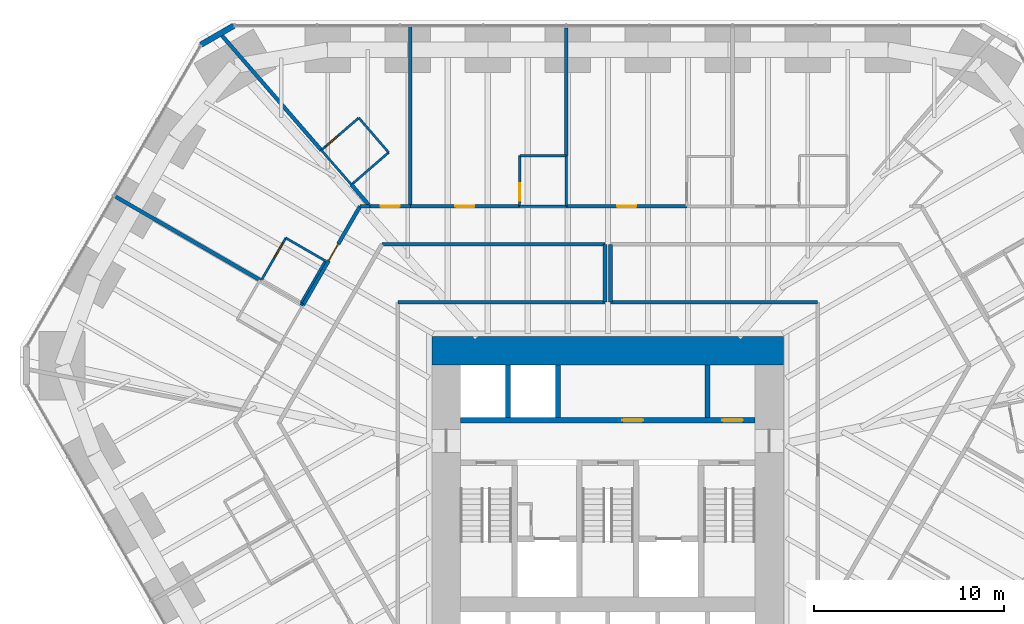
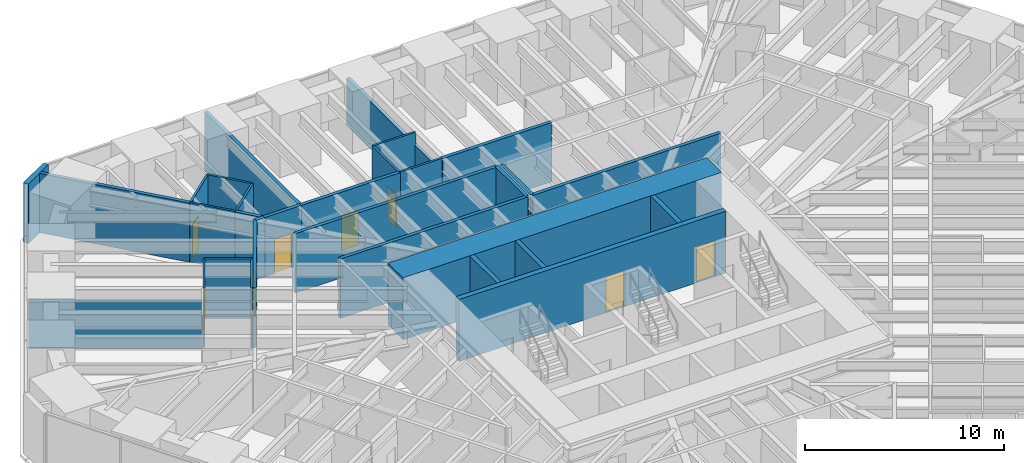
# One storey, part 14 of 17: 33 walls, 9 doors, 9 openings.
"""IFC4 building model written with IfcOpenShell, lengths in metres."""

from ifc_helpers import new_model, si_unit, direction, frame, frame_2d, origin, place, context, subcontext, project, spatial, rectangle, extrude, material, layer, layer_set, type_object, element, fill, save


model = new_model("IFC4")

# Units and contexts
model_context = context("Model", 3, precision=1e-05, world=origin(), true_north=direction((0.0, 1.0)))
body_context = subcontext(model_context, "Body", "Model", "MODEL_VIEW")
ifc_project = project(units=[si_unit("LENGTHUNIT", "METRE"), si_unit("AREAUNIT", "SQUARE_METRE"), si_unit("VOLUMEUNIT", "CUBIC_METRE"), si_unit("PLANEANGLEUNIT", "RADIAN"), si_unit("MASSUNIT", "GRAM", prefix="KILO")], contexts=[model_context])

# Site, building, storey
site_placement = place(None, origin())
site = spatial("IfcSite", under=ifc_project, at=site_placement, CompositionType="ELEMENT")
building_placement = place(site_placement, origin())
building = spatial("IfcBuilding", under=site, at=building_placement, Name="Sandreach Pilgrim Tower", CompositionType="ELEMENT")
storey_placement = place(building_placement, frame((0.0, 0.0, 38.199951171875)))
storey = spatial("IfcBuildingStorey", under=building, at=storey_placement, Name="L08", CompositionType="ELEMENT", Elevation=38.199951171875)

# Wall, opening, door
ifc_material_1 = material(Name="Moisture-resistant gypsum board on steel studs", Category="steel")
ifc_layer_1 = layer(ifc_material_1, 0.1201171875)
ifc_layer_set_1 = layer_set([ifc_layer_1], Name="Bathroom partition 120")
wall_type_1 = type_object("IfcWallType", Name="Bathroom partition 120", PredefinedType="PARTITIONING", material=ifc_layer_set_1)
wall_1_placement = place(storey_placement, frame((-16.93994140625, 12.780029296875, 0.0), z_axis=(0.0, 0.0, 1.0), x_axis=(-0.500291685314, -0.865856933682, 0.0)))
wall_1 = element("IfcWall", 1, at=wall_1_placement, inside=storey, type_object=wall_type_1, Name="Bathroom partition L08-019", PredefinedType="PARTITIONING", context=body_context, shape_type="SweptSolid", body=[
    extrude(rectangle(XDim=2.5986328125, YDim=0.1201171875, at=frame_2d((1.29931640625, 0.0))), origin(), (0.0, 0.0, 1.0), 3.64013671875),
])
opening_1_placement = place(wall_1_placement, frame((0.300048828125, 0.0, 0.0)))
opening_1 = element("IfcOpeningElement", 2, at=opening_1_placement, cuts=wall_1, Name="Opening D09-19B", PredefinedType="OPENING", context=body_context, shape_type="SweptSolid", body=[
    extrude(rectangle(XDim=0.89990234375, YDim=2.030029296875, at=frame_2d((0.449951171875, 1.01513671875))), frame((0.0, 0.06005859375, 0.0), z_axis=(0.0, -1.0, 0.0), x_axis=(1.0, 0.0, 0.0)), (0.0, 0.0, 1.0), 0.1201171875),
])
ifc_material_2 = material(Name="Timber door, steel frame", Category="steel")
door_type_1 = type_object("IfcDoorType", Name="Bathroom door", OperationType="SINGLE_SWING_LEFT", PredefinedType="DOOR", material=ifc_material_2)
door_1_placement = place(opening_1_placement, origin())
door_1 = element("IfcDoor", 3, at=door_1_placement, inside=storey, type_object=door_type_1, Name="Door 0819B", OperationType="SINGLE_SWING_LEFT", OverallHeight=2.030029296875, OverallWidth=0.89990234375, PredefinedType="DOOR", context=body_context, shape_type="SweptSolid", body=[
    extrude(rectangle(XDim=0.89990234375, YDim=2.030029296875, at=frame_2d((0.449951171875, 1.01513671875))), frame((0.0, 0.02490234375, 0.0), z_axis=(0.0, -1.0, 0.0), x_axis=(1.0, 0.0, 0.0)), (0.0, 0.0, 1.0), 0.050048828125),
])
fill(opening_1, door_1)

# Walls
wall_2_placement = place(storey_placement, frame((-16.159912109375, 9.330078125, 0.0), z_axis=(0.0, 0.0, 1.0), x_axis=(0.880098986228, -0.47479024257, 0.0)))
element("IfcWall", 4, at=wall_2_placement, inside=storey, type_object=wall_type_1, Name="Bathroom partition L08-023", PredefinedType="PARTITIONING", context=body_context, shape_type="SweptSolid", body=[
    extrude(rectangle(XDim=0.1474609375, YDim=0.1201171875, at=frame_2d((0.07373046875, 0.0))), origin(), (0.0, 0.0, 1.0), 3.64013671875),
])
wall_3_placement = place(storey_placement, frame((-16.159912109375, 9.330078125, 0.0), z_axis=(0.0, 0.0, 1.0), x_axis=(0.500291685314, 0.865856933682, 0.0)))
element("IfcWall", 5, at=wall_3_placement, inside=storey, type_object=wall_type_1, Name="Bathroom partition L08-024", PredefinedType="PARTITIONING", context=body_context, shape_type="SweptSolid", body=[
    extrude(rectangle(XDim=2.5986328125, YDim=0.1201171875, at=frame_2d((1.29931640625, 0.0))), origin(), (0.0, 0.0, 1.0), 3.64013671875),
])
wall_4_placement = place(storey_placement, frame((-15.070068359375, 17.39990234375, 0.0), z_axis=(0.0, 0.0, 1.0), x_axis=(0.657083550002, -0.753817755374, 0.0)))
element("IfcWall", 6, at=wall_4_placement, inside=storey, type_object=wall_type_1, Name="Bathroom partition L08-028", PredefinedType="PARTITIONING", context=body_context, shape_type="SweptSolid", body=[
    extrude(rectangle(XDim=2.41015625, YDim=0.1201171875, at=frame_2d((1.205078125, 0.0))), origin(), (0.0, 0.0, 1.0), 3.64013671875),
])
wall_5_placement = place(storey_placement, frame((-14.860107421875, 11.580078125, 0.0), z_axis=(0.0, 0.0, 1.0), x_axis=(-0.866177122335, 0.499737123639, 0.0)))
element("IfcWall", 7, at=wall_5_placement, inside=storey, type_object=wall_type_1, Name="Bathroom partition L08-029", PredefinedType="PARTITIONING", context=body_context, shape_type="SweptSolid", body=[
    extrude(rectangle(XDim=2.401123046875, YDim=0.1201171875, at=frame_2d((1.20068359375, 0.0))), origin(), (0.0, 0.0, 1.0), 3.64013671875),
])
wall_6_placement = place(storey_placement, frame((-13.489990234375, 15.580078125, 0.0), z_axis=(0.0, 0.0, 1.0), x_axis=(0.755437535555, 0.655220672655, 0.0)))
element("IfcWall", 8, at=wall_6_placement, inside=storey, type_object=wall_type_1, Name="Bathroom partition L08-030", PredefinedType="PARTITIONING", context=body_context, shape_type="SweptSolid", body=[
    extrude(rectangle(XDim=2.594482421875, YDim=0.1201171875, at=frame_2d((1.29736328125, 0.0))), origin(), (0.0, 0.0, 1.0), 3.64013671875),
])

# Wall, opening, door
wall_7_placement = place(storey_placement, frame((-13.10009765625, 19.10009765625, 0.0), z_axis=(0.0, 0.0, 1.0), x_axis=(-0.757040252764, -0.65336823897, 0.0)))
wall_7 = element("IfcWall", 9, at=wall_7_placement, inside=storey, type_object=wall_type_1, Name="Bathroom partition L08-032", PredefinedType="PARTITIONING", context=body_context, shape_type="SweptSolid", body=[
    extrude(rectangle(XDim=2.602294921875, YDim=0.1201171875, at=frame_2d((1.30126953125, 0.0))), origin(), (0.0, 0.0, 1.0), 3.64013671875),
])
opening_2_placement = place(wall_7_placement, frame((1.402099609375, 0.0, 0.0)))
opening_2 = element("IfcOpeningElement", 10, at=opening_2_placement, cuts=wall_7, Name="Opening D09-01B", PredefinedType="OPENING", context=body_context, shape_type="SweptSolid", body=[
    extrude(rectangle(XDim=0.89990234375, YDim=2.030029296875, at=frame_2d((0.449951171875, 1.01513671875))), frame((0.0, 0.06005859375, 0.0), z_axis=(0.0, -1.0, 0.0), x_axis=(1.0, 0.0, 0.0)), (0.0, 0.0, 1.0), 0.1201171875),
])
door_2_placement = place(opening_2_placement, origin())
door_2 = element("IfcDoor", 11, at=door_2_placement, inside=storey, type_object=door_type_1, Name="Door 0801B", OperationType="SINGLE_SWING_RIGHT", OverallHeight=2.030029296875, OverallWidth=0.89990234375, PredefinedType="DOOR", context=body_context, shape_type="SweptSolid", body=[
    extrude(rectangle(XDim=0.89990234375, YDim=2.030029296875, at=frame_2d((0.449951171875, 1.01513671875))), frame((0.0, 0.02490234375, 0.0), z_axis=(0.0, -1.0, 0.0), x_axis=(1.0, 0.0, 0.0)), (0.0, 0.0, 1.0), 0.050048828125),
])
fill(opening_2, door_2)

# Wall
wall_8_placement = place(storey_placement, frame((-11.530029296875, 17.280029296875, 0.0), z_axis=(0.0, 0.0, 1.0), x_axis=(-0.653188728136, 0.757195143563, 0.0)))
element("IfcWall", 12, at=wall_8_placement, inside=storey, type_object=wall_type_1, Name="Bathroom partition L08-036", PredefinedType="PARTITIONING", context=body_context, shape_type="SweptSolid", body=[
    extrude(rectangle(XDim=2.40380859375, YDim=0.1201171875, at=frame_2d((1.201904296875, 0.0))), origin(), (0.0, 0.0, 1.0), 3.64013671875),
])

# Wall, opening, door
wall_9_placement = place(storey_placement, frame((-4.6298828125, 17.110107421875, 0.0), z_axis=(0.0, 0.0, 1.0), x_axis=(-0.003762822113, -0.99999292056, 0.0)))
wall_9 = element("IfcWall", 13, at=wall_9_placement, inside=storey, type_object=wall_type_1, Name="Bathroom partition L08-051", PredefinedType="PARTITIONING", context=body_context, shape_type="SweptSolid", body=[
    extrude(rectangle(XDim=2.66015625, YDim=0.1201171875, at=frame_2d((1.330078125, 0.0))), origin(), (0.0, 0.0, 1.0), 3.64013671875),
])
opening_3_placement = place(wall_9_placement, frame((1.4599609375, 0.0, 0.0)))
opening_3 = element("IfcOpeningElement", 14, at=opening_3_placement, cuts=wall_9, Name="Opening D09-02B", PredefinedType="OPENING", context=body_context, shape_type="SweptSolid", body=[
    extrude(rectangle(XDim=0.89990234375, YDim=2.030029296875, at=frame_2d((0.449951171875, 1.01513671875))), frame((0.0, 0.06005859375, 0.0), z_axis=(0.0, -1.0, 0.0), x_axis=(1.0, 0.0, 0.0)), (0.0, 0.0, 1.0), 0.1201171875),
])
door_3_placement = place(opening_3_placement, origin())
door_3 = element("IfcDoor", 15, at=door_3_placement, inside=storey, type_object=door_type_1, Name="Door 0802B", OperationType="SINGLE_SWING_RIGHT", OverallHeight=2.030029296875, OverallWidth=0.89990234375, PredefinedType="DOOR", context=body_context, shape_type="SweptSolid", body=[
    extrude(rectangle(XDim=0.89990234375, YDim=2.030029296875, at=frame_2d((0.449951171875, 1.01513671875))), frame((0.0, 0.02490234375, 0.0), z_axis=(0.0, -1.0, 0.0), x_axis=(1.0, 0.0, 0.0)), (0.0, 0.0, 1.0), 0.050048828125),
])
fill(opening_3, door_3)

# Walls
wall_10_placement = place(storey_placement, frame((-2.18994140625, 14.449951171875, 0.0), z_axis=(0.0, 0.0, 1.0), x_axis=(-1.0, 0.0, 0.0)))
element("IfcWall", 16, at=wall_10_placement, inside=storey, type_object=wall_type_1, Name="Bathroom partition L08-057", PredefinedType="PARTITIONING", context=body_context, shape_type="SweptSolid", body=[
    extrude(rectangle(XDim=2.449951171875, YDim=0.1201171875, at=frame_2d((1.22509765625, 0.0))), origin(), (0.0, 0.0, 1.0), 3.64013671875),
])
wall_11_placement = place(storey_placement, frame((-2.18994140625, 17.10009765625, 0.0), z_axis=(0.0, 0.0, 1.0), x_axis=(-0.999991585011, 0.004102426955, 0.0)))
element("IfcWall", 17, at=wall_11_placement, inside=storey, type_object=wall_type_1, Name="Bathroom partition L08-058", PredefinedType="PARTITIONING", context=body_context, shape_type="SweptSolid", body=[
    extrude(rectangle(XDim=2.43994140625, YDim=0.1201171875, at=frame_2d((1.219970703125, 0.0))), origin(), (0.0, 0.0, 1.0), 3.64013671875),
])
wall_12_placement = place(storey_placement, frame((-2.18994140625, 17.10009765625, 0.0), z_axis=(0.0, 0.0, 1.0), x_axis=(0.0, -1.0, 0.0)))
element("IfcWall", 18, at=wall_12_placement, inside=storey, type_object=wall_type_1, Name="Bathroom partition L08-059", PredefinedType="PARTITIONING", context=body_context, shape_type="SweptSolid", body=[
    extrude(rectangle(XDim=2.650146484375, YDim=0.1201171875, at=frame_2d((1.3251953125, 0.0))), origin(), (0.0, 0.0, 1.0), 2.8779296875),
])

# Wall, openings, doors
ifc_material_3 = material(Name="Concrete 10000 psi", Category="concrete")
ifc_layer_2 = layer(ifc_material_3, 0.300048828125)
ifc_layer_set_2 = layer_set([ifc_layer_2], Name="Core inner wall 300")
wall_type_2 = type_object("IfcWallType", Name="Core inner wall 300", PredefinedType="SHEAR", material=ifc_layer_set_2)
wall_13_placement = place(storey_placement, frame((-7.75, 3.199951171875, 0.0), z_axis=(0.0, 0.0, 1.0), x_axis=(1.0, 0.0, 0.0)))
wall_13 = element("IfcWall", 19, at=wall_13_placement, inside=storey, type_object=wall_type_2, Name="Core wall PN L08", PredefinedType="SHEAR", context=body_context, shape_type="SweptSolid", body=[
    extrude(rectangle(XDim=15.5, YDim=0.300048828125, at=frame_2d((7.75, 0.0))), origin(), (0.0, 0.0, 1.0), 3.800048828125),
])
opening_4_placement = place(wall_13_placement, frame((8.512451171875, 0.0, 0.0)))
opening_4 = element("IfcOpeningElement", 20, at=opening_4_placement, cuts=wall_13, Name="Opening D11L", PredefinedType="OPENING", context=body_context, shape_type="SweptSolid", body=[
    extrude(rectangle(XDim=1.10009765625, YDim=2.199951171875, at=frame_2d((0.550048828125, 1.10009765625))), frame((0.0, 0.14990234375, 0.0), z_axis=(0.0, -1.0, 0.0), x_axis=(1.0, 0.0, 0.0)), (0.0, 0.0, 1.0), 0.300048828125),
])
opening_5_placement = place(wall_13_placement, frame((13.762451171875, 0.0, 0.0)))
opening_5 = element("IfcOpeningElement", 21, at=opening_5_placement, cuts=wall_13, Name="Opening D11L", PredefinedType="OPENING", context=body_context, shape_type="SweptSolid", body=[
    extrude(rectangle(XDim=1.10009765625, YDim=2.199951171875, at=frame_2d((0.550048828125, 1.10009765625))), frame((0.0, 0.14990234375, 0.0), z_axis=(0.0, -1.0, 0.0), x_axis=(1.0, 0.0, 0.0)), (0.0, 0.0, 1.0), 0.300048828125),
])
ifc_material_4 = material(Name="Steel door and frame, smoke seals", Category="steel")
door_type_2 = type_object("IfcDoorType", Name="Core room door", OperationType="SINGLE_SWING_LEFT", PredefinedType="DOOR", material=ifc_material_4)
door_4_placement = place(opening_4_placement, origin())
door_4 = element("IfcDoor", 22, at=door_4_placement, inside=storey, type_object=door_type_2, Name="Door housekeeping store 08K1", OperationType="SINGLE_SWING_RIGHT", OverallHeight=2.199951171875, OverallWidth=1.10009765625, PredefinedType="DOOR", context=body_context, shape_type="SweptSolid", body=[
    extrude(rectangle(XDim=1.10009765625, YDim=2.199951171875, at=frame_2d((0.550048828125, 1.10009765625))), frame((0.0, 0.02490234375, 0.0), z_axis=(0.0, -1.0, 0.0), x_axis=(1.0, 0.0, 0.0)), (0.0, 0.0, 1.0), 0.050048828125),
])
fill(opening_4, door_4)
door_5_placement = place(opening_5_placement, origin())
door_5 = element("IfcDoor", 23, at=door_5_placement, inside=storey, type_object=door_type_2, Name="Door it room 08K2", OperationType="SINGLE_SWING_RIGHT", OverallHeight=2.199951171875, OverallWidth=1.10009765625, PredefinedType="DOOR", context=body_context, shape_type="SweptSolid", body=[
    extrude(rectangle(XDim=1.10009765625, YDim=2.199951171875, at=frame_2d((0.550048828125, 1.10009765625))), frame((0.0, 0.02490234375, 0.0), z_axis=(0.0, -1.0, 0.0), x_axis=(1.0, 0.0, 0.0)), (0.0, 0.0, 1.0), 0.050048828125),
])
fill(opening_5, door_5)

# Wall
ifc_material_5 = material(Name="Concrete 10000 psi", Category="concrete")
ifc_layer_3 = layer(ifc_material_5, 1.5)
ifc_layer_set_3 = layer_set([ifc_layer_3], Name="Core wall 1500")
wall_type_3 = type_object("IfcWallType", Name="Core wall 1500", PredefinedType="SHEAR", material=ifc_layer_set_3)
wall_14_placement = place(storey_placement, frame((-9.25, 6.85009765625, 0.0), z_axis=(0.0, 0.0, 1.0), x_axis=(1.0, 0.0, 0.0)))
element("IfcWall", 24, at=wall_14_placement, inside=storey, type_object=wall_type_3, Name="Core wall N L08", PredefinedType="SHEAR", context=body_context, shape_type="SweptSolid", body=[
    extrude(rectangle(XDim=18.5, YDim=1.5, at=frame_2d((9.25, 0.0))), origin(), (0.0, 0.0, 1.0), 3.800048828125),
])

# Wall, opening, door
ifc_material_6 = material(Name="Gypsum board on steel studs, two layers each side", Category="steel")
ifc_layer_4 = layer(ifc_material_6, 0.199951171875)
ifc_layer_set_4 = layer_set([ifc_layer_4], Name="Corridor wall 200")
wall_type_4 = type_object("IfcWallType", Name="Corridor wall 200", PredefinedType="PARTITIONING", material=ifc_layer_set_4)
wall_15_placement = place(storey_placement, frame((-16.031494140625, 9.260986328125, 0.0), z_axis=(0.0, 0.0, 1.0), x_axis=(0.500702302597, 0.865619549325, 0.0)))
wall_15 = element("IfcWall", 25, at=wall_15_placement, inside=storey, type_object=wall_type_4, Name="Corridor wall L08-025", PredefinedType="PARTITIONING", context=body_context, shape_type="SweptSolid", body=[
    extrude(rectangle(XDim=5.99462890625, YDim=0.199951171875, at=frame_2d((2.997314453125, 0.0))), origin(), (0.0, 0.0, 1.0), 3.64013671875),
])
opening_6_placement = place(wall_15_placement, frame((2.697265625, 0.0, 0.0)))
opening_6 = element("IfcOpeningElement", 26, at=opening_6_placement, cuts=wall_15, Name="Opening D10-19", PredefinedType="OPENING", context=body_context, shape_type="SweptSolid", body=[
    extrude(rectangle(XDim=1.0, YDim=2.1298828125, at=frame_2d((0.5, 1.06494140625))), frame((0.0, 0.10009765625, 0.0), z_axis=(0.0, -1.0, 0.0), x_axis=(1.0, 0.0, 0.0)), (0.0, 0.0, 1.0), 0.199951171875),
])
ifc_material_7 = material(Name="Steel door and frame", Category="steel")
door_type_3 = type_object("IfcDoorType", Name="Guest room entry door", OperationType="SINGLE_SWING_LEFT", PredefinedType="DOOR", material=ifc_material_7)
door_6_placement = place(opening_6_placement, origin())
door_6 = element("IfcDoor", 27, at=door_6_placement, inside=storey, type_object=door_type_3, Name="Door 0819", OperationType="SINGLE_SWING_RIGHT", OverallHeight=2.1298828125, OverallWidth=1.0, PredefinedType="DOOR", context=body_context, shape_type="SweptSolid", body=[
    extrude(rectangle(XDim=1.0, YDim=2.1298828125, at=frame_2d((0.5, 1.06494140625))), frame((0.0, 0.02490234375, 0.0), z_axis=(0.0, -1.0, 0.0), x_axis=(1.0, 0.0, 0.0)), (0.0, 0.0, 1.0), 0.050048828125),
])
fill(opening_6, door_6)

# Walls
wall_16_placement = place(storey_placement, frame((-12.510009765625, 14.449951171875, 0.0), z_axis=(0.0, 0.0, 1.0), x_axis=(-1.0, 0.0, 0.0)))
element("IfcWall", 28, at=wall_16_placement, inside=storey, type_object=wall_type_4, Name="Corridor wall L08-033", PredefinedType="PARTITIONING", context=body_context, shape_type="SweptSolid", body=[
    extrude(rectangle(XDim=0.52001953125, YDim=0.199951171875, at=frame_2d((0.260009765625, 0.0))), origin(), (0.0, 0.0, 1.0), 3.64013671875),
])
wall_17_placement = place(storey_placement, frame((-11.8798828125, 12.449951171875, 0.0), z_axis=(0.0, 0.0, 1.0), x_axis=(1.0, 0.0, 0.0)))
element("IfcWall", 29, at=wall_17_placement, inside=storey, type_object=wall_type_4, Name="Corridor wall L08-035", PredefinedType="PARTITIONING", context=body_context, shape_type="SweptSolid", body=[
    extrude(rectangle(XDim=11.72998046875, YDim=0.199951171875, at=frame_2d((5.864990234375, 0.0))), origin(), (0.0, 0.0, 1.0), 3.64013671875),
])

# Wall, opening, door
wall_18_placement = place(storey_placement, frame((-10.389892578125, 14.449951171875, 0.0), z_axis=(0.0, 0.0, 1.0), x_axis=(-1.0, 0.0, 0.0)))
wall_18 = element("IfcWall", 30, at=wall_18_placement, inside=storey, type_object=wall_type_4, Name="Corridor wall L08-039", PredefinedType="PARTITIONING", context=body_context, shape_type="SweptSolid", body=[
    extrude(rectangle(XDim=2.1201171875, YDim=0.199951171875, at=frame_2d((1.06005859375, 0.0))), origin(), (0.0, 0.0, 1.0), 3.64013671875),
])
opening_7_placement = place(wall_18_placement, frame((0.56005859375, 0.0, 0.0)))
opening_7 = element("IfcOpeningElement", 31, at=opening_7_placement, cuts=wall_18, Name="Opening D10-01", PredefinedType="OPENING", context=body_context, shape_type="SweptSolid", body=[
    extrude(rectangle(XDim=1.0, YDim=2.1298828125, at=frame_2d((0.5, 1.06494140625))), frame((0.0, 0.10009765625, 0.0), z_axis=(0.0, -1.0, 0.0), x_axis=(1.0, 0.0, 0.0)), (0.0, 0.0, 1.0), 0.199951171875),
])
door_7_placement = place(opening_7_placement, origin())
door_7 = element("IfcDoor", 32, at=door_7_placement, inside=storey, type_object=door_type_3, Name="Door 0801", OperationType="SINGLE_SWING_LEFT", OverallHeight=2.1298828125, OverallWidth=1.0, PredefinedType="DOOR", context=body_context, shape_type="SweptSolid", body=[
    extrude(rectangle(XDim=1.0, YDim=2.1298828125, at=frame_2d((0.5, 1.06494140625))), frame((0.0, 0.02490234375, 0.0), z_axis=(0.0, -1.0, 0.0), x_axis=(1.0, 0.0, 0.0)), (0.0, 0.0, 1.0), 0.050048828125),
])
fill(opening_7, door_7)

wall_19_placement = place(storey_placement, frame((-4.639892578125, 14.449951171875, 0.0), z_axis=(0.0, 0.0, 1.0), x_axis=(-1.0, 0.0, 0.0)))
wall_19 = element("IfcWall", 33, at=wall_19_placement, inside=storey, type_object=wall_type_4, Name="Corridor wall L08-050", PredefinedType="PARTITIONING", context=body_context, shape_type="SweptSolid", body=[
    extrude(rectangle(XDim=5.75, YDim=0.199951171875, at=frame_2d((2.875, 0.0))), origin(), (0.0, 0.0, 1.0), 3.64013671875),
])
opening_8_placement = place(wall_19_placement, frame((2.375, 0.0, 0.0)))
opening_8 = element("IfcOpeningElement", 34, at=opening_8_placement, cuts=wall_19, Name="Opening D10-02", PredefinedType="OPENING", context=body_context, shape_type="SweptSolid", body=[
    extrude(rectangle(XDim=1.0, YDim=2.1298828125, at=frame_2d((0.5, 1.06494140625))), frame((0.0, 0.10009765625, 0.0), z_axis=(0.0, -1.0, 0.0), x_axis=(1.0, 0.0, 0.0)), (0.0, 0.0, 1.0), 0.199951171875),
])
door_8_placement = place(opening_8_placement, origin())
door_8 = element("IfcDoor", 35, at=door_8_placement, inside=storey, type_object=door_type_3, Name="Door 0802", OperationType="SINGLE_SWING_LEFT", OverallHeight=2.1298828125, OverallWidth=1.0, PredefinedType="DOOR", context=body_context, shape_type="SweptSolid", body=[
    extrude(rectangle(XDim=1.0, YDim=2.1298828125, at=frame_2d((0.5, 1.06494140625))), frame((0.0, 0.02490234375, 0.0), z_axis=(0.0, -1.0, 0.0), x_axis=(1.0, 0.0, 0.0)), (0.0, 0.0, 1.0), 0.050048828125),
])
fill(opening_8, door_8)

# Walls
wall_20_placement = place(storey_placement, frame((-0.14990234375, 9.39990234375, 0.0), z_axis=(0.0, 0.0, 1.0), x_axis=(-1.0, 0.0, 0.0)))
element("IfcWall", 36, at=wall_20_placement, inside=storey, type_object=wall_type_4, Name="Corridor wall L08-061", PredefinedType="PARTITIONING", context=body_context, shape_type="SweptSolid", body=[
    extrude(rectangle(XDim=10.89013671875, YDim=0.199951171875, at=frame_2d((5.445068359375, 0.0))), origin(), (0.0, 0.0, 1.0), 3.64013671875),
])
wall_21_placement = place(storey_placement, frame((-0.14990234375, 12.43994140625, 0.0), z_axis=(0.0, 0.0, 1.0), x_axis=(0.0, -1.0, 0.0)))
element("IfcWall", 37, at=wall_21_placement, inside=storey, type_object=wall_type_4, Name="Corridor wall L08-062", PredefinedType="PARTITIONING", context=body_context, shape_type="SweptSolid", body=[
    extrude(rectangle(XDim=3.02490234375, YDim=0.199951171875, at=frame_2d((1.512451171875, 0.0))), origin(), (0.0, 0.0, 1.0), 3.64013671875),
])
wall_22_placement = place(storey_placement, frame((0.14990234375, 9.409912109375, 0.0), z_axis=(0.0, 0.0, 1.0), x_axis=(0.0, 1.0, 0.0)))
element("IfcWall", 38, at=wall_22_placement, inside=storey, type_object=wall_type_4, Name="Corridor wall L08-070", PredefinedType="PARTITIONING", context=body_context, shape_type="SweptSolid", body=[
    extrude(rectangle(XDim=3.030029296875, YDim=0.199951171875, at=frame_2d((1.51513671875, 0.0))), origin(), (0.0, 0.0, 1.0), 3.64013671875),
])

# Wall, opening, door
wall_23_placement = place(storey_placement, frame((4.159912109375, 14.449951171875, 0.0), z_axis=(0.0, 0.0, 1.0), x_axis=(-1.0, 0.0, 0.0)))
wall_23 = element("IfcWall", 39, at=wall_23_placement, inside=storey, type_object=wall_type_4, Name="Corridor wall L08-077", PredefinedType="PARTITIONING", context=body_context, shape_type="SweptSolid", body=[
    extrude(rectangle(XDim=6.349853515625, YDim=0.199951171875, at=frame_2d((3.1748046875, 0.0))), origin(), (0.0, 0.0, 1.0), 3.64013671875),
])
opening_9_placement = place(wall_23_placement, frame((2.675048828125, 0.0, 0.0)))
opening_9 = element("IfcOpeningElement", 40, at=opening_9_placement, cuts=wall_23, Name="Opening D10-03", PredefinedType="OPENING", context=body_context, shape_type="SweptSolid", body=[
    extrude(rectangle(XDim=1.0, YDim=2.1298828125, at=frame_2d((0.5, 1.06494140625))), frame((0.0, 0.10009765625, 0.0), z_axis=(0.0, -1.0, 0.0), x_axis=(1.0, 0.0, 0.0)), (0.0, 0.0, 1.0), 0.199951171875),
])
door_9_placement = place(opening_9_placement, origin())
door_9 = element("IfcDoor", 41, at=door_9_placement, inside=storey, type_object=door_type_3, Name="Door 0803", OperationType="SINGLE_SWING_LEFT", OverallHeight=2.1298828125, OverallWidth=1.0, PredefinedType="DOOR", context=body_context, shape_type="SweptSolid", body=[
    extrude(rectangle(XDim=1.0, YDim=2.1298828125, at=frame_2d((0.5, 1.06494140625))), frame((0.0, 0.02490234375, 0.0), z_axis=(0.0, -1.0, 0.0), x_axis=(1.0, 0.0, 0.0)), (0.0, 0.0, 1.0), 0.050048828125),
])
fill(opening_9, door_9)

# Walls
wall_24_placement = place(storey_placement, frame((11.0400390625, 9.39990234375, 0.0), z_axis=(0.0, 0.0, 1.0), x_axis=(-1.0, 0.0, 0.0)))
element("IfcWall", 42, at=wall_24_placement, inside=storey, type_object=wall_type_4, Name="Corridor wall L08-106", PredefinedType="PARTITIONING", context=body_context, shape_type="SweptSolid", body=[
    extrude(rectangle(XDim=10.89013671875, YDim=0.199951171875, at=frame_2d((5.445068359375, 0.0))), origin(), (0.0, 0.0, 1.0), 3.64013671875),
])
ifc_material_8 = material(Name="Double steel stud acoustic wall, gypsum board", Category="steel")
ifc_layer_5 = layer(ifc_material_8, 0.199951171875)
ifc_layer_set_5 = layer_set([ifc_layer_5], Name="Party wall 200")
wall_type_5 = type_object("IfcWallType", Name="Party wall 200", PredefinedType="PARTITIONING", material=ifc_layer_set_5)
wall_25_placement = place(storey_placement, frame((-25.885986328125, 14.949951171875, 0.0), z_axis=(0.0, 0.0, 1.0), x_axis=(0.866018495177, -0.500011965869, 0.0)))
element("IfcWall", 43, at=wall_25_placement, inside=storey, type_object=wall_type_5, Name="Party wall L08-002", PredefinedType="PARTITIONING", context=body_context, shape_type="SweptSolid", body=[
    extrude(rectangle(XDim=8.759521484375, YDim=0.199951171875, at=frame_2d((4.3798828125, 0.0))), origin(), (0.0, 0.0, 1.0), 2.8603515625),
])
wall_26_placement = place(storey_placement, frame((-20.400390625, 23.54736328125, 0.0), z_axis=(0.0, 0.0, 1.0), x_axis=(0.655107582677, -0.755535608108, 0.0)))
element("IfcWall", 44, at=wall_26_placement, inside=storey, type_object=wall_type_5, Name="Party wall L08-004", PredefinedType="PARTITIONING", context=body_context, shape_type="SweptSolid", body=[
    extrude(rectangle(XDim=8.136474609375, YDim=0.199951171875, at=frame_2d((4.068359375, 0.0))), origin(), (0.0, 0.0, 1.0), 3.64013671875),
])
wall_27_placement = place(storey_placement, frame((-13.486328125, 15.5830078125, 0.0), z_axis=(0.0, 0.0, 1.0), x_axis=(0.652755533609, -0.75756861956, 0.0)))
element("IfcWall", 45, at=wall_27_placement, inside=storey, type_object=wall_type_5, Name="Party wall L08-031", PredefinedType="PARTITIONING", context=body_context, shape_type="SweptSolid", body=[
    extrude(rectangle(XDim=1.390625, YDim=0.199951171875, at=frame_2d((0.6953125, 0.0))), origin(), (0.0, 0.0, 1.0), 3.64013671875),
])
wall_28_placement = place(storey_placement, frame((-10.389892578125, 23.919921875, 0.0), z_axis=(0.0, 0.0, 1.0), x_axis=(0.0, -1.0, 0.0)))
element("IfcWall", 46, at=wall_28_placement, inside=storey, type_object=wall_type_5, Name="Party wall L08-040", PredefinedType="PARTITIONING", context=body_context, shape_type="SweptSolid", body=[
    extrude(rectangle(XDim=9.4599609375, YDim=0.199951171875, at=frame_2d((4.72998046875, 0.0))), origin(), (0.0, 0.0, 1.0), 3.64013671875),
])
wall_29_placement = place(storey_placement, frame((-2.18994140625, 23.830078125, 0.0), z_axis=(0.0, 0.0, 1.0), x_axis=(0.0, -1.0, 0.0)))
element("IfcWall", 47, at=wall_29_placement, inside=storey, type_object=wall_type_5, Name="Party wall L08-060", PredefinedType="PARTITIONING", context=body_context, shape_type="SweptSolid", body=[
    extrude(rectangle(XDim=6.72998046875, YDim=0.199951171875, at=frame_2d((3.364990234375, 0.0))), origin(), (0.0, 0.0, 1.0), 2.8779296875),
])
ifc_material_9 = material(Name="Gypsum shaft wall on steel studs, two layers of shaft liner board", Category="steel")
ifc_layer_6 = layer(ifc_material_9, 0.25)
ifc_layer_set_6 = layer_set([ifc_layer_6], Name="Shaft partition 250")
wall_type_6 = type_object("IfcWallType", Name="Shaft partition 250", PredefinedType="PARTITIONING", material=ifc_layer_set_6)
for number, where, z_axis, x_axis, name in (
    (48, (-5.25, 3.35009765625, 0.0), (0.0, 0.0, 1.0), (0.0, 1.0, 0.0), "Shaft partition NS0 L08"),
    (49, (-2.625, 3.35009765625, 0.0), (0.0, 0.0, 1.0), (0.0, 1.0, 0.0), "Shaft partition NS1 L08"),
    (50, (5.25, 3.35009765625, 0.0), (0.0, 0.0, 1.0), (0.0, 1.0, 0.0), "Shaft partition NS4 L08"),
):
    element("IfcWall", number, at=place(storey_placement, frame(where, z_axis=z_axis, x_axis=x_axis)), inside=storey, type_object=wall_type_6, Name=name, PredefinedType="PARTITIONING", context=body_context, shape_type="SweptSolid", body=[
        extrude(rectangle(XDim=2.75, YDim=0.25, at=frame_2d((1.375, 0.0))), origin(), (0.0, 0.0, 1.0), 3.800048828125),
    ])
ifc_material_10 = material(Name="Terracotta rainscreen on concrete", Category="masonry")
ifc_layer_7 = layer(ifc_material_10, 0.300048828125)
ifc_layer_set_7 = layer_set([ifc_layer_7], Name="Terracotta chamfer pier")
wall_type_7 = type_object("IfcWallType", Name="Terracotta chamfer pier", PredefinedType="SOLIDWALL", material=ifc_layer_set_7)
wall_30_placement = place(storey_placement, frame((-21.404052734375, 22.94873046875, 0.0), z_axis=(0.0, 0.0, 1.0), x_axis=(0.866010750942, 0.50002537861, 0.0)))
element("IfcWall", 51, at=wall_30_placement, inside=storey, type_object=wall_type_7, Name="Chamfer pier L08 NW", PredefinedType="SOLIDWALL", context=body_context, shape_type="SweptSolid", body=[
    extrude(rectangle(XDim=2.0, YDim=0.300048828125, at=frame_2d((1.0, 0.0))), origin(), (0.0, 0.0, 1.0), 3.64013671875),
])

save(model, "model.ifc")
